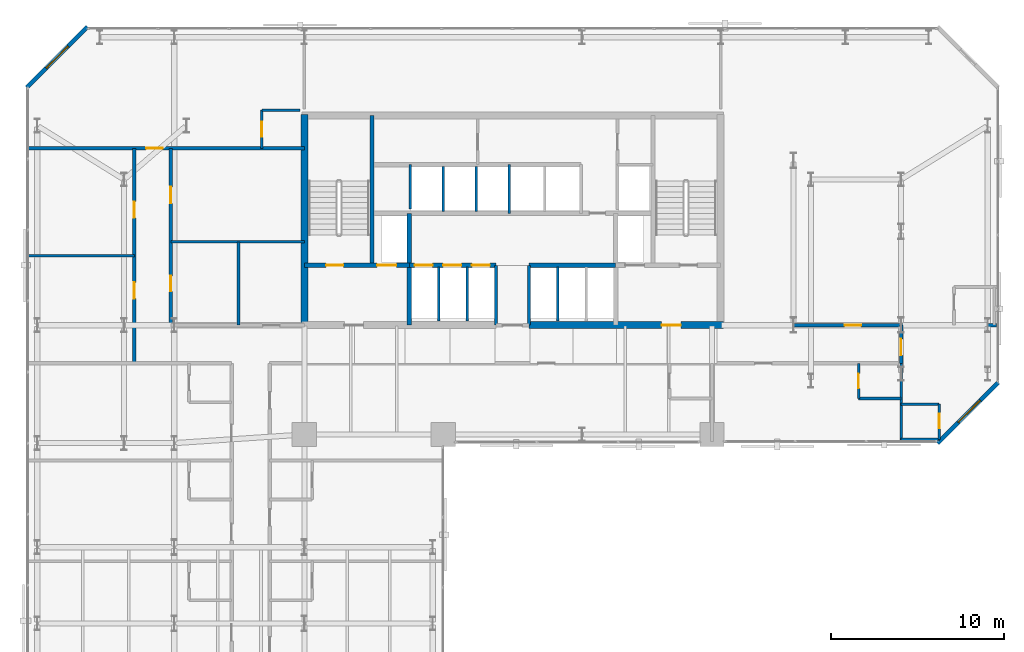
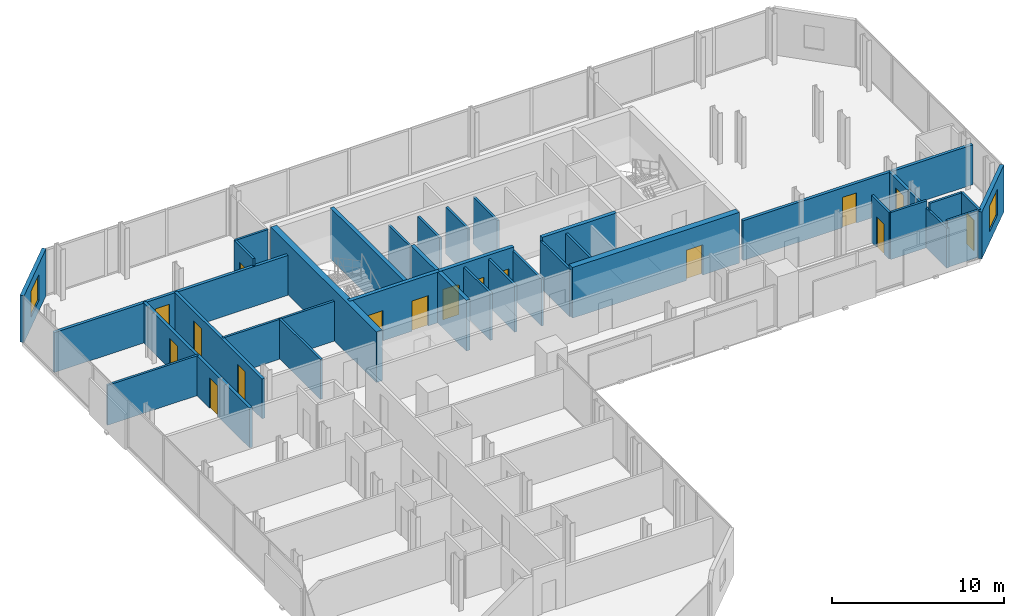
# One storey, part 29 of 32: 34 walls, 16 doors, 2 windows, 18 openings.
"""IFC4 building model written with IfcOpenShell, lengths in metres."""

from ifc_helpers import new_model, si_unit, direction, frame, frame_2d, origin, place, context, subcontext, project, spatial, rectangle, extrude, material, layer, layer_set, type_object, element, fill, save


model = new_model("IFC4")

# Units and contexts
model_context = context("Model", 3, precision=1e-05, world=origin(), true_north=direction((0.0, 1.0)))
body_context = subcontext(model_context, "Body", "Model", "MODEL_VIEW")
ifc_project = project(units=[si_unit("LENGTHUNIT", "METRE"), si_unit("AREAUNIT", "SQUARE_METRE"), si_unit("VOLUMEUNIT", "CUBIC_METRE"), si_unit("PLANEANGLEUNIT", "RADIAN"), si_unit("MASSUNIT", "GRAM", prefix="KILO")], contexts=[model_context])

# Site, building, storey
site_placement = place(None, origin())
site = spatial("IfcSite", under=ifc_project, at=site_placement, CompositionType="ELEMENT")
building_placement = place(site_placement, origin())
building = spatial("IfcBuilding", under=site, at=building_placement, Name="Catumbela Crestline Tower", CompositionType="ELEMENT")
storey_placement = place(building_placement, frame((0.0, 0.0, 69.0)))
storey = spatial("IfcBuildingStorey", under=building, at=storey_placement, Name="L17", CompositionType="ELEMENT", Elevation=69.0)

# Walls
ifc_material_1 = material(Name="Concrete C50/60", Category="concrete")
ifc_layer_1 = layer(ifc_material_1, 0.25, Name="Concrete C50/60")
ifc_layer_set_1 = layer_set([ifc_layer_1], Name="Concrete C50/60")
wall_type_1 = type_object("IfcWallType", Name="CW-250D", PredefinedType="SHEAR", material=ifc_layer_set_1)
wall_1_placement = place(storey_placement, frame((19.9, 34.25, 0.0), z_axis=(0.0, 0.0, 1.0), x_axis=(0.0, 1.0, 0.0)))
element("IfcWall", 1, at=wall_1_placement, inside=storey, type_object=wall_type_1, Name="L17 Structural Core Shear Wall WWEB", PredefinedType="SHEAR", context=body_context, shape_type="SweptSolid", body=[
    extrude(rectangle(XDim=8.65, YDim=0.25, at=frame_2d((4.325, 0.0))), origin(), (0.0, 0.0, 1.0), 3.6),
])
wall_2_placement = place(storey_placement, frame((22.05, 30.8, 0.0), z_axis=(0.0, 0.0, 1.0), x_axis=(0.0, 1.0, 0.0)))
element("IfcWall", 2, at=wall_2_placement, inside=storey, type_object=wall_type_1, Name="L17 Structural Core Shear Wall FFW", PredefinedType="SHEAR", context=body_context, shape_type="SweptSolid", body=[
    extrude(rectangle(XDim=6.45, YDim=0.25, at=frame_2d((3.225, 0.0))), origin(), (0.0, 0.0, 1.0), 3.6),
])

# Wall, openings, doors
wall_3_placement = place(storey_placement, frame((16.0, 34.25, 0.0), z_axis=(0.0, 0.0, 1.0), x_axis=(1.0, 0.0, 0.0)))
wall_3 = element("IfcWall", 3, at=wall_3_placement, inside=storey, type_object=wall_type_1, Name="L17 Structural Core Shear Wall ST1S", PredefinedType="SHEAR", context=body_context, shape_type="SweptSolid", body=[
    extrude(rectangle(XDim=6.05, YDim=0.25, at=frame_2d((3.025, 0.0))), origin(), (0.0, 0.0, 1.0), 3.6),
])
opening_1_placement = place(wall_3_placement, frame((1.25, 0.0, 0.0)))
opening_1 = element("IfcOpeningElement", 4, at=opening_1_placement, cuts=wall_3, Name="Opening DF9-100", PredefinedType="OPENING", context=body_context, shape_type="SweptSolid", body=[
    extrude(rectangle(XDim=1.0, YDim=2.15, at=frame_2d((0.5, 1.075))), frame((0.0, 0.135, 0.0), z_axis=(0.0, -1.0, 0.0), x_axis=(1.0, 0.0, 0.0)), (0.0, 0.0, 1.0), 0.27),
])
opening_2_placement = place(wall_3_placement, frame((4.2, 0.0, 0.0)))
opening_2 = element("IfcOpeningElement", 5, at=opening_2_placement, cuts=wall_3, Name="Opening LD-110", PredefinedType="OPENING", context=body_context, shape_type="SweptSolid", body=[
    extrude(rectangle(XDim=1.1, YDim=2.15, at=frame_2d((0.55, 1.075))), frame((0.0, 0.135, 0.0), z_axis=(0.0, -1.0, 0.0), x_axis=(1.0, 0.0, 0.0)), (0.0, 0.0, 1.0), 0.27),
])
ifc_material_2 = material(Name="Stainless steel EN 1.4401", Category="steel")
door_type_1 = type_object("IfcDoorType", Name="DF9-100", OperationType="NOTDEFINED", PredefinedType="DOOR", material=ifc_material_2)
door_1_placement = place(opening_1_placement, origin())
door_1 = element("IfcDoor", 6, at=door_1_placement, inside=storey, type_object=door_type_1, Name="L17 Interior Door DR-L17-ST01", OperationType="SINGLE_SWING_LEFT", OverallHeight=2.15, OverallWidth=1.0, PredefinedType="DOOR", context=body_context, shape_type="SweptSolid", body=[
    extrude(rectangle(XDim=1.0, YDim=2.15, at=frame_2d((0.5, 1.075))), frame((0.0, 0.025, 0.0), z_axis=(0.0, -1.0, 0.0), x_axis=(1.0, 0.0, 0.0)), (0.0, 0.0, 1.0), 0.05),
])
fill(opening_1, door_1)
door_type_2 = type_object("IfcDoorType", Name="LD-110", OperationType="NOTDEFINED", PredefinedType="DOOR", material=ifc_material_2)
door_2_placement = place(opening_2_placement, origin())
door_2 = element("IfcDoor", 7, at=door_2_placement, inside=storey, type_object=door_type_2, Name="L17 Lift Landing Sliding Door FL-01", OperationType="DOUBLE_DOOR_SLIDING", OverallHeight=2.15, OverallWidth=1.1, PredefinedType="DOOR", context=body_context, shape_type="SweptSolid", body=[
    extrude(rectangle(XDim=1.1, YDim=2.15, at=frame_2d((0.55, 1.075))), frame((0.0, 0.025, 0.0), z_axis=(0.0, -1.0, 0.0), x_axis=(1.0, 0.0, 0.0)), (0.0, 0.0, 1.0), 0.05),
])
fill(opening_2, door_2)

wall_4_placement = place(storey_placement, frame((22.05, 34.25, 0.0), z_axis=(0.0, 0.0, 1.0), x_axis=(1.0, 0.0, 0.0)))
wall_4 = element("IfcWall", 8, at=wall_4_placement, inside=storey, type_object=wall_type_1, Name="L17 Structural Core Shear Wall LIFTS-W", PredefinedType="SHEAR", context=body_context, shape_type="SweptSolid", body=[
    extrude(rectangle(XDim=5.0, YDim=0.25, at=frame_2d((2.5, 0.0))), origin(), (0.0, 0.0, 1.0), 3.6),
])
opening_3_placement = place(wall_4_placement, frame((0.3, 0.0, 0.0)))
opening_3 = element("IfcOpeningElement", 9, at=opening_3_placement, cuts=wall_4, Name="Opening LD-105", PredefinedType="OPENING", context=body_context, shape_type="SweptSolid", body=[
    extrude(rectangle(XDim=1.05, YDim=2.15, at=frame_2d((0.525, 1.075))), frame((0.0, 0.135, 0.0), z_axis=(0.0, -1.0, 0.0), x_axis=(1.0, 0.0, 0.0)), (0.0, 0.0, 1.0), 0.27),
])
opening_4_placement = place(wall_4_placement, frame((1.95, 0.0, 0.0)))
opening_4 = element("IfcOpeningElement", 10, at=opening_4_placement, cuts=wall_4, Name="Opening LD-105", PredefinedType="OPENING", context=body_context, shape_type="SweptSolid", body=[
    extrude(rectangle(XDim=1.05, YDim=2.15, at=frame_2d((0.525, 1.075))), frame((0.0, 0.135, 0.0), z_axis=(0.0, -1.0, 0.0), x_axis=(1.0, 0.0, 0.0)), (0.0, 0.0, 1.0), 0.27),
])
opening_5_placement = place(wall_4_placement, frame((3.6, 0.0, 0.0)))
opening_5 = element("IfcOpeningElement", 11, at=opening_5_placement, cuts=wall_4, Name="Opening LD-105", PredefinedType="OPENING", context=body_context, shape_type="SweptSolid", body=[
    extrude(rectangle(XDim=1.05, YDim=2.15, at=frame_2d((0.525, 1.075))), frame((0.0, 0.135, 0.0), z_axis=(0.0, -1.0, 0.0), x_axis=(1.0, 0.0, 0.0)), (0.0, 0.0, 1.0), 0.27),
])
door_type_3 = type_object("IfcDoorType", Name="LD-105", OperationType="NOTDEFINED", PredefinedType="DOOR", material=ifc_material_2)
door_3_placement = place(opening_3_placement, origin())
door_3 = element("IfcDoor", 12, at=door_3_placement, inside=storey, type_object=door_type_3, Name="L17 Lift Landing Sliding Door PL-L1", OperationType="DOUBLE_DOOR_SLIDING", OverallHeight=2.15, OverallWidth=1.05, PredefinedType="DOOR", context=body_context, shape_type="SweptSolid", body=[
    extrude(rectangle(XDim=1.05, YDim=2.15, at=frame_2d((0.525, 1.075))), frame((0.0, 0.025, 0.0), z_axis=(0.0, -1.0, 0.0), x_axis=(1.0, 0.0, 0.0)), (0.0, 0.0, 1.0), 0.05),
])
fill(opening_3, door_3)
door_4_placement = place(opening_4_placement, origin())
door_4 = element("IfcDoor", 13, at=door_4_placement, inside=storey, type_object=door_type_3, Name="L17 Lift Landing Sliding Door PL-L2", OperationType="DOUBLE_DOOR_SLIDING", OverallHeight=2.15, OverallWidth=1.05, PredefinedType="DOOR", context=body_context, shape_type="SweptSolid", body=[
    extrude(rectangle(XDim=1.05, YDim=2.15, at=frame_2d((0.525, 1.075))), frame((0.0, 0.025, 0.0), z_axis=(0.0, -1.0, 0.0), x_axis=(1.0, 0.0, 0.0)), (0.0, 0.0, 1.0), 0.05),
])
fill(opening_4, door_4)
door_5_placement = place(opening_5_placement, origin())
door_5 = element("IfcDoor", 14, at=door_5_placement, inside=storey, type_object=door_type_3, Name="L17 Lift Landing Sliding Door PL-L3", OperationType="DOUBLE_DOOR_SLIDING", OverallHeight=2.15, OverallWidth=1.05, PredefinedType="DOOR", context=body_context, shape_type="SweptSolid", body=[
    extrude(rectangle(XDim=1.05, YDim=2.15, at=frame_2d((0.525, 1.075))), frame((0.0, 0.025, 0.0), z_axis=(0.0, -1.0, 0.0), x_axis=(1.0, 0.0, 0.0)), (0.0, 0.0, 1.0), 0.05),
])
fill(opening_5, door_5)

# Walls
wall_5_placement = place(storey_placement, frame((28.95, 34.25, 0.0), z_axis=(0.0, 0.0, 1.0), x_axis=(1.0, 0.0, 0.0)))
element("IfcWall", 15, at=wall_5_placement, inside=storey, type_object=wall_type_1, Name="L17 Structural Core Shear Wall LIFTS-E", PredefinedType="SHEAR", context=body_context, shape_type="SweptSolid", body=[
    extrude(rectangle(XDim=5.0, YDim=0.25, at=frame_2d((2.5, 0.0))), origin(), (0.0, 0.0, 1.0), 3.6),
])
ifc_material_3 = material(Name="Concrete C60/75", Category="concrete")
ifc_layer_2 = layer(ifc_material_3, 0.4, Name="Concrete C60/75")
ifc_layer_set_2 = layer_set([ifc_layer_2], Name="Concrete C60/75")
wall_type_2 = type_object("IfcWallType", Name="CW-400A", PredefinedType="SHEAR", material=ifc_layer_set_2)
wall_6_placement = place(storey_placement, frame((16.0, 30.65, 0.0), z_axis=(0.0, 0.0, 1.0), x_axis=(0.0, 1.0, 0.0)))
element("IfcWall", 16, at=wall_6_placement, inside=storey, type_object=wall_type_2, Name="L17 Structural Core Shear Wall W", PredefinedType="SHEAR", context=body_context, shape_type="SweptSolid", body=[
    extrude(rectangle(XDim=12.3, YDim=0.4, at=frame_2d((6.15, 0.0))), origin(), (0.0, 0.0, 1.0), 3.6),
])

# Wall, opening, door
wall_7_placement = place(storey_placement, frame((28.95, 30.8, 0.0), z_axis=(0.0, 0.0, 1.0), x_axis=(1.0, 0.0, 0.0)))
wall_7 = element("IfcWall", 17, at=wall_7_placement, inside=storey, type_object=wall_type_2, Name="L17 Structural Core Shear Wall SE", PredefinedType="SHEAR", context=body_context, shape_type="SweptSolid", body=[
    extrude(rectangle(XDim=11.2, YDim=0.4, at=frame_2d((5.6, 0.0))), origin(), (0.0, 0.0, 1.0), 3.6),
])
opening_6_placement = place(wall_7_placement, frame((7.65, 0.0, 0.0)))
opening_6 = element("IfcOpeningElement", 18, at=opening_6_placement, cuts=wall_7, Name="Opening DF9-110", PredefinedType="OPENING", context=body_context, shape_type="SweptSolid", body=[
    extrude(rectangle(XDim=1.1, YDim=2.15, at=frame_2d((0.55, 1.075))), frame((0.0, 0.21, 0.0), z_axis=(0.0, -1.0, 0.0), x_axis=(1.0, 0.0, 0.0)), (0.0, 0.0, 1.0), 0.42),
])
door_type_4 = type_object("IfcDoorType", Name="DF9-110", OperationType="NOTDEFINED", PredefinedType="DOOR", material=ifc_material_2)
door_6_placement = place(opening_6_placement, origin())
door_6 = element("IfcDoor", 19, at=door_6_placement, inside=storey, type_object=door_type_4, Name="L17 Interior Door DR-L17-FFE-S", OperationType="SINGLE_SWING_RIGHT", OverallHeight=2.15, OverallWidth=1.1, PredefinedType="DOOR", context=body_context, shape_type="SweptSolid", body=[
    extrude(rectangle(XDim=1.1, YDim=2.15, at=frame_2d((0.55, 1.075))), frame((0.0, 0.025, 0.0), z_axis=(0.0, -1.0, 0.0), x_axis=(1.0, 0.0, 0.0)), (0.0, 0.0, 1.0), 0.05),
])
fill(opening_6, door_6)

# Wall, openings, doors
ifc_material_4 = material(Name="Acoustic gypsum and mineral-wool partition")
ifc_layer_3 = layer(ifc_material_4, 0.2, Name="Acoustic gypsum and mineral-wool partition")
ifc_layer_set_3 = layer_set([ifc_layer_3], Name="Acoustic gypsum and mineral-wool partition")
wall_type_3 = type_object("IfcWallType", Name="WC-200", PredefinedType="PARTITIONING", material=ifc_layer_set_3)
wall_8_placement = place(storey_placement, frame((8.3, 30.8, 0.0), z_axis=(0.0, 0.0, 1.0), x_axis=(0.0, 1.0, 0.0)))
wall_8 = element("IfcWall", 20, at=wall_8_placement, inside=storey, type_object=wall_type_3, Name="L17 Interior Partition PW-L17-AWC-W", PredefinedType="PARTITIONING", context=body_context, shape_type="SweptSolid", body=[
    extrude(rectangle(XDim=10.2, YDim=0.2, at=frame_2d((5.1, 0.0))), origin(), (0.0, 0.0, 1.0), 2.83),
])
opening_7_placement = place(wall_8_placement, frame((1.95, 0.0, 0.0)))
opening_7 = element("IfcOpeningElement", 21, at=opening_7_placement, cuts=wall_8, Name="Opening DI-090", PredefinedType="OPENING", context=body_context, shape_type="SweptSolid", body=[
    extrude(rectangle(XDim=0.9, YDim=2.15, at=frame_2d((0.45, 1.075))), frame((0.0, 0.11, 0.0), z_axis=(0.0, -1.0, 0.0), x_axis=(1.0, 0.0, 0.0)), (0.0, 0.0, 1.0), 0.22),
])
opening_8_placement = place(wall_8_placement, frame((7.025, 0.0, 0.0)))
opening_8 = element("IfcOpeningElement", 22, at=opening_8_placement, cuts=wall_8, Name="Opening DF6-095", PredefinedType="OPENING", context=body_context, shape_type="SweptSolid", body=[
    extrude(rectangle(XDim=0.95, YDim=2.15, at=frame_2d((0.475, 1.075))), frame((0.0, 0.11, 0.0), z_axis=(0.0, -1.0, 0.0), x_axis=(1.0, 0.0, 0.0)), (0.0, 0.0, 1.0), 0.22),
])
ifc_material_5 = material(Name="Aluminium alloy AW-6060-T66", Category="aluminium")
door_type_5 = type_object("IfcDoorType", Name="DF6-095", OperationType="NOTDEFINED", PredefinedType="DOOR", material=ifc_material_5)
door_7_placement = place(opening_8_placement, origin())
door_7 = element("IfcDoor", 23, at=door_7_placement, inside=storey, type_object=door_type_5, Name="L17 Interior Door DR-L17-DDIN-ENT", OperationType="SINGLE_SWING_RIGHT", OverallHeight=2.15, OverallWidth=0.95, PredefinedType="DOOR", context=body_context, shape_type="SweptSolid", body=[
    extrude(rectangle(XDim=0.95, YDim=2.15, at=frame_2d((0.475, 1.075))), frame((0.0, 0.025, 0.0), z_axis=(0.0, -1.0, 0.0), x_axis=(1.0, 0.0, 0.0)), (0.0, 0.0, 1.0), 0.05),
])
fill(opening_8, door_7)
door_type_6 = type_object("IfcDoorType", Name="DI-090", OperationType="NOTDEFINED", PredefinedType="DOOR", material=ifc_material_5)
door_8_placement = place(opening_7_placement, origin())
door_8 = element("IfcDoor", 24, at=door_8_placement, inside=storey, type_object=door_type_6, Name="L17 Interior Door DR-L17-STWC", OperationType="SINGLE_SWING_RIGHT", OverallHeight=2.15, OverallWidth=0.9, PredefinedType="DOOR", context=body_context, shape_type="SweptSolid", body=[
    extrude(rectangle(XDim=0.9, YDim=2.15, at=frame_2d((0.45, 1.075))), frame((0.0, 0.025, 0.0), z_axis=(0.0, -1.0, 0.0), x_axis=(1.0, 0.0, 0.0)), (0.0, 0.0, 1.0), 0.05),
])
fill(opening_7, door_8)

# Wall, opening, door
wall_9_placement = place(storey_placement, frame((0.1, 41.0, 0.0), z_axis=(0.0, 0.0, 1.0), x_axis=(1.0, 0.0, 0.0)))
wall_9 = element("IfcWall", 25, at=wall_9_placement, inside=storey, type_object=wall_type_3, Name="L17 Interior Partition PW-L17-NWTOP-ENT", PredefinedType="PARTITIONING", context=body_context, shape_type="SweptSolid", body=[
    extrude(rectangle(XDim=15.9, YDim=0.2, at=frame_2d((7.95, 0.0))), origin(), (0.0, 0.0, 1.0), 2.83),
])
opening_9_placement = place(wall_9_placement, frame((6.7788, 0.0, 0.0)))
opening_9 = element("IfcOpeningElement", 26, at=opening_9_placement, cuts=wall_9, Name="Opening DF6-095", PredefinedType="OPENING", context=body_context, shape_type="SweptSolid", body=[
    extrude(rectangle(XDim=0.95, YDim=2.15, at=frame_2d((0.475, 1.075))), frame((0.0, 0.11, 0.0), z_axis=(0.0, -1.0, 0.0), x_axis=(1.0, 0.0, 0.0)), (0.0, 0.0, 1.0), 0.22),
])
door_9_placement = place(opening_9_placement, origin())
door_9 = element("IfcDoor", 27, at=door_9_placement, inside=storey, type_object=door_type_5, Name="L17 Interior Door DR-L17-NWTOP-ENT", OperationType="SINGLE_SWING_LEFT", OverallHeight=2.15, OverallWidth=0.95, PredefinedType="DOOR", context=body_context, shape_type="SweptSolid", body=[
    extrude(rectangle(XDim=0.95, YDim=2.15, at=frame_2d((0.475, 1.075))), frame((0.0, 0.025, 0.0), z_axis=(0.0, -1.0, 0.0), x_axis=(1.0, 0.0, 0.0)), (0.0, 0.0, 1.0), 0.05),
])
fill(opening_9, door_9)

# Wall, openings, doors
wall_10_placement = place(storey_placement, frame((6.2, 28.6, 0.0), z_axis=(0.0, 0.0, 1.0), x_axis=(0.0, 1.0, 0.0)))
wall_10 = element("IfcWall", 28, at=wall_10_placement, inside=storey, type_object=wall_type_3, Name="L17 Interior Partition PW-L17-DREC-ENT", PredefinedType="PARTITIONING", context=body_context, shape_type="SweptSolid", body=[
    extrude(rectangle(XDim=12.4, YDim=0.2, at=frame_2d((6.2, 0.0))), origin(), (0.0, 0.0, 1.0), 2.83),
])
opening_10_placement = place(wall_10_placement, frame((3.725, 0.0, 0.0)))
opening_10 = element("IfcOpeningElement", 29, at=opening_10_placement, cuts=wall_10, Name="Opening DF6-095", PredefinedType="OPENING", context=body_context, shape_type="SweptSolid", body=[
    extrude(rectangle(XDim=0.95, YDim=2.15, at=frame_2d((0.475, 1.075))), frame((0.0, 0.11, 0.0), z_axis=(0.0, -1.0, 0.0), x_axis=(1.0, 0.0, 0.0)), (0.0, 0.0, 1.0), 0.22),
])
opening_11_placement = place(wall_10_placement, frame((8.3808, 0.0, 0.0)))
opening_11 = element("IfcOpeningElement", 30, at=opening_11_placement, cuts=wall_10, Name="Opening DF6-095", PredefinedType="OPENING", context=body_context, shape_type="SweptSolid", body=[
    extrude(rectangle(XDim=0.95, YDim=2.15, at=frame_2d((0.475, 1.075))), frame((0.0, 0.11, 0.0), z_axis=(0.0, -1.0, 0.0), x_axis=(1.0, 0.0, 0.0)), (0.0, 0.0, 1.0), 0.22),
])
door_10_placement = place(opening_10_placement, origin())
door_10 = element("IfcDoor", 31, at=door_10_placement, inside=storey, type_object=door_type_5, Name="L17 Interior Door DR-L17-DREC-ENT", OperationType="SINGLE_SWING_LEFT", OverallHeight=2.15, OverallWidth=0.95, PredefinedType="DOOR", context=body_context, shape_type="SweptSolid", body=[
    extrude(rectangle(XDim=0.95, YDim=2.15, at=frame_2d((0.475, 1.075))), frame((0.0, 0.025, 0.0), z_axis=(0.0, -1.0, 0.0), x_axis=(1.0, 0.0, 0.0)), (0.0, 0.0, 1.0), 0.05),
])
fill(opening_10, door_10)
door_11_placement = place(opening_11_placement, origin())
door_11 = element("IfcDoor", 32, at=door_11_placement, inside=storey, type_object=door_type_5, Name="L17 Interior Door DR-L17-DKIT-ENT", OperationType="SINGLE_SWING_LEFT", OverallHeight=2.15, OverallWidth=0.95, PredefinedType="DOOR", context=body_context, shape_type="SweptSolid", body=[
    extrude(rectangle(XDim=0.95, YDim=2.15, at=frame_2d((0.475, 1.075))), frame((0.0, 0.025, 0.0), z_axis=(0.0, -1.0, 0.0), x_axis=(1.0, 0.0, 0.0)), (0.0, 0.0, 1.0), 0.05),
])
fill(opening_11, door_11)

# Wall, opening, door
wall_11_placement = place(storey_placement, frame((40.47, 30.8, 0.0), z_axis=(0.0, 0.0, 1.0), x_axis=(1.0, 0.0, 0.0)))
wall_11 = element("IfcWall", 33, at=wall_11_placement, inside=storey, type_object=wall_type_3, Name="L17 Interior Partition PW-L17-NES-ENT", PredefinedType="PARTITIONING", context=body_context, shape_type="SweptSolid", body=[
    extrude(rectangle(XDim=15.43, YDim=0.2, at=frame_2d((7.715, 0.0))), origin(), (0.0, 0.0, 1.0), 2.83),
])
opening_12_placement = place(wall_11_placement, frame((6.6725, 0.0, 0.0)))
opening_12 = element("IfcOpeningElement", 34, at=opening_12_placement, cuts=wall_11, Name="Opening DF6-095", PredefinedType="OPENING", context=body_context, shape_type="SweptSolid", body=[
    extrude(rectangle(XDim=0.95, YDim=2.15, at=frame_2d((0.475, 1.075))), frame((0.0, 0.11, 0.0), z_axis=(0.0, -1.0, 0.0), x_axis=(1.0, 0.0, 0.0)), (0.0, 0.0, 1.0), 0.22),
])
door_12_placement = place(opening_12_placement, origin())
door_12 = element("IfcDoor", 35, at=door_12_placement, inside=storey, type_object=door_type_5, Name="L17 Interior Door DR-L17-NES-ENT", OperationType="SINGLE_SWING_LEFT", OverallHeight=2.15, OverallWidth=0.95, PredefinedType="DOOR", context=body_context, shape_type="SweptSolid", body=[
    extrude(rectangle(XDim=0.95, YDim=2.15, at=frame_2d((0.475, 1.075))), frame((0.0, 0.025, 0.0), z_axis=(0.0, -1.0, 0.0), x_axis=(1.0, 0.0, 0.0)), (0.0, 0.0, 1.0), 0.05),
])
fill(opening_12, door_12)

wall_12_placement = place(storey_placement, frame((50.4, 28.6, 0.0), z_axis=(0.0, 0.0, 1.0), x_axis=(0.0, 1.0, 0.0)))
wall_12 = element("IfcWall", 36, at=wall_12_placement, inside=storey, type_object=wall_type_3, Name="L17 Interior Partition PW-L17-NESE-ENT", PredefinedType="PARTITIONING", context=body_context, shape_type="SweptSolid", body=[
    extrude(rectangle(XDim=2.2, YDim=0.2, at=frame_2d((1.1, 0.0))), origin(), (0.0, 0.0, 1.0), 2.83),
])
opening_13_placement = place(wall_12_placement, frame((0.46, 0.0, 0.0)))
opening_13 = element("IfcOpeningElement", 37, at=opening_13_placement, cuts=wall_12, Name="Opening DF6-095", PredefinedType="OPENING", context=body_context, shape_type="SweptSolid", body=[
    extrude(rectangle(XDim=0.95, YDim=2.15, at=frame_2d((0.475, 1.075))), frame((0.0, 0.11, 0.0), z_axis=(0.0, -1.0, 0.0), x_axis=(1.0, 0.0, 0.0)), (0.0, 0.0, 1.0), 0.22),
])
door_13_placement = place(opening_13_placement, origin())
door_13 = element("IfcDoor", 38, at=door_13_placement, inside=storey, type_object=door_type_5, Name="L17 Interior Door DR-L17-NESE-ENT", OperationType="SINGLE_SWING_RIGHT", OverallHeight=2.15, OverallWidth=0.95, PredefinedType="DOOR", context=body_context, shape_type="SweptSolid", body=[
    extrude(rectangle(XDim=0.95, YDim=2.15, at=frame_2d((0.475, 1.075))), frame((0.0, 0.025, 0.0), z_axis=(0.0, -1.0, 0.0), x_axis=(1.0, 0.0, 0.0)), (0.0, 0.0, 1.0), 0.05),
])
fill(opening_13, door_13)

# Wall, opening, window
ifc_material_6 = material(Name="Angolan grey-ochre granite", Category="masonry")
ifc_layer_4 = layer(ifc_material_6, 0.25, Name="Angolan grey-ochre granite")
ifc_layer_set_4 = layer_set([ifc_layer_4], Name="Angolan grey-ochre granite")
wall_type_4 = type_object("IfcWallType", Name="WE-250", PredefinedType="STANDARD", material=ifc_layer_set_4)
wall_13_placement = place(storey_placement, frame((52.5, 24.0, 0.0), z_axis=(0.0, 0.0, 1.0), x_axis=(0.707106781187, 0.707106781187, 0.0)))
wall_13 = element("IfcWall", 39, at=wall_13_placement, inside=storey, type_object=wall_type_4, Name="L17 Granite Punched Window Wall 4-1", PredefinedType="STANDARD", context=body_context, shape_type="SweptSolid", body=[
    extrude(rectangle(XDim=4.9497, YDim=0.25, at=frame_2d((2.4748, 0.0))), origin(), (0.0, 0.0, 1.0), 3.33),
])
opening_14_placement = place(wall_13_placement, frame((1.6851, 0.0, 0.75)))
opening_14 = element("IfcOpeningElement", 40, at=opening_14_placement, cuts=wall_13, Name="Opening WN-01", PredefinedType="OPENING", context=body_context, shape_type="SweptSolid", body=[
    extrude(rectangle(XDim=1.8, YDim=1.85, at=frame_2d((0.9, 0.925))), frame((0.0, 0.135, 0.0), z_axis=(0.0, -1.0, 0.0), x_axis=(1.0, 0.0, 0.0)), (0.0, 0.0, 1.0), 0.27),
])
ifc_material_7 = material(Name="Low-E laminated solar-control double glazing", Category="glass")
window_type = type_object("IfcWindowType", Name="WF-1800", PartitioningType="SINGLE_PANEL", PredefinedType="WINDOW", material=ifc_material_7)
window_1_placement = place(opening_14_placement, origin())
window_1 = element("IfcWindow", 41, at=window_1_placement, inside=storey, type_object=window_type, Name="L17 Facade Vision Window 109", OverallHeight=1.85, OverallWidth=1.8, PartitioningType="SINGLE_PANEL", PredefinedType="WINDOW", context=body_context, shape_type="SweptSolid", body=[
    extrude(rectangle(XDim=1.8, YDim=1.85, at=frame_2d((0.9, 0.925))), frame((0.0, 0.03, 0.0), z_axis=(0.0, -1.0, 0.0), x_axis=(1.0, 0.0, 0.0)), (0.0, 0.0, 1.0), 0.06),
])
fill(opening_14, window_1)

wall_14_placement = place(storey_placement, frame((3.5, 48.0, 0.0), z_axis=(0.0, 0.0, 1.0), x_axis=(-0.707106781187, -0.707106781187, 0.0)))
wall_14 = element("IfcWall", 42, at=wall_14_placement, inside=storey, type_object=wall_type_4, Name="L17 Granite Punched Window Wall 8-1", PredefinedType="STANDARD", context=body_context, shape_type="SweptSolid", body=[
    extrude(rectangle(XDim=4.9497, YDim=0.25, at=frame_2d((2.4748, 0.0))), origin(), (0.0, 0.0, 1.0), 3.33),
])
opening_15_placement = place(wall_14_placement, frame((1.5749, 0.0, 0.75)))
opening_15 = element("IfcOpeningElement", 43, at=opening_15_placement, cuts=wall_14, Name="Opening WN-01", PredefinedType="OPENING", context=body_context, shape_type="SweptSolid", body=[
    extrude(rectangle(XDim=1.8, YDim=1.85, at=frame_2d((0.9, 0.925))), frame((0.0, 0.135, 0.0), z_axis=(0.0, -1.0, 0.0), x_axis=(1.0, 0.0, 0.0)), (0.0, 0.0, 1.0), 0.27),
])
window_2_placement = place(opening_15_placement, origin())
window_2 = element("IfcWindow", 44, at=window_2_placement, inside=storey, type_object=window_type, Name="L17 Facade Vision Window 111", OverallHeight=1.85, OverallWidth=1.8, PartitioningType="SINGLE_PANEL", PredefinedType="WINDOW", context=body_context, shape_type="SweptSolid", body=[
    extrude(rectangle(XDim=1.8, YDim=1.85, at=frame_2d((0.9, 0.925))), frame((0.0, 0.03, 0.0), z_axis=(0.0, -1.0, 0.0), x_axis=(1.0, 0.0, 0.0)), (0.0, 0.0, 1.0), 0.06),
])
fill(opening_15, window_2)

# Walls
ifc_layer_5 = layer(ifc_material_4, 0.15, Name="Acoustic gypsum and mineral-wool partition")
ifc_layer_set_5 = layer_set([ifc_layer_5], Name="Acoustic gypsum and mineral-wool partition")
wall_type_5 = type_object("IfcWallType", Name="WP-150", PredefinedType="PARTITIONING", material=ifc_layer_set_5)
wall_15_placement = place(storey_placement, frame((8.3, 35.6, 0.0), z_axis=(0.0, 0.0, 1.0), x_axis=(1.0, 0.0, 0.0)))
element("IfcWall", 45, at=wall_15_placement, inside=storey, type_object=wall_type_5, Name="L17 Interior Partition PW-L17-HK-N", PredefinedType="PARTITIONING", context=body_context, shape_type="SweptSolid", body=[
    extrude(rectangle(XDim=7.7, YDim=0.15, at=frame_2d((3.85, 0.0))), origin(), (0.0, 0.0, 1.0), 2.83),
])
wall_16_placement = place(storey_placement, frame((12.2, 30.8, 0.0), z_axis=(0.0, 0.0, 1.0), x_axis=(0.0, 1.0, 0.0)))
element("IfcWall", 46, at=wall_16_placement, inside=storey, type_object=wall_type_5, Name="L17 Interior Partition PW-L17-HK-M", PredefinedType="PARTITIONING", context=body_context, shape_type="SweptSolid", body=[
    extrude(rectangle(XDim=4.8, YDim=0.15, at=frame_2d((2.4, 0.0))), origin(), (0.0, 0.0, 1.0), 2.83),
])
wall_17_placement = place(storey_placement, frame((13.55, 43.2, 0.0), z_axis=(0.0, 0.0, 1.0), x_axis=(1.0, 0.0, 0.0)))
element("IfcWall", 47, at=wall_17_placement, inside=storey, type_object=wall_type_5, Name="L17 Interior Partition PW-L17-NWTOP-BHW", PredefinedType="PARTITIONING", context=body_context, shape_type="SweptSolid", body=[
    extrude(rectangle(XDim=2.1897, YDim=0.15, at=frame_2d((1.0949, 0.0))), origin(), (0.0, 0.0, 1.0), 3.33),
])

# Wall, opening, door
wall_18_placement = place(storey_placement, frame((13.55, 41.0, 0.0), z_axis=(0.0, 0.0, 1.0), x_axis=(0.0, 1.0, 0.0)))
wall_18 = element("IfcWall", 48, at=wall_18_placement, inside=storey, type_object=wall_type_5, Name="L17 Interior Partition PW-L17-NWTOP-BWW", PredefinedType="PARTITIONING", context=body_context, shape_type="SweptSolid", body=[
    extrude(rectangle(XDim=2.2, YDim=0.15, at=frame_2d((1.1, 0.0))), origin(), (0.0, 0.0, 1.0), 3.33),
])
opening_16_placement = place(wall_18_placement, frame((0.675, 0.0, 0.0)))
opening_16 = element("IfcOpeningElement", 49, at=opening_16_placement, cuts=wall_18, Name="Opening DI-085", PredefinedType="OPENING", context=body_context, shape_type="SweptSolid", body=[
    extrude(rectangle(XDim=0.85, YDim=2.15, at=frame_2d((0.425, 1.075))), frame((0.0, 0.085, 0.0), z_axis=(0.0, -1.0, 0.0), x_axis=(1.0, 0.0, 0.0)), (0.0, 0.0, 1.0), 0.17),
])
door_type_7 = type_object("IfcDoorType", Name="DI-085", OperationType="NOTDEFINED", PredefinedType="DOOR", material=ifc_material_5)
door_14_placement = place(opening_16_placement, origin())
door_14 = element("IfcDoor", 50, at=door_14_placement, inside=storey, type_object=door_type_7, Name="L17 Interior Door DR-L17-NWTOP-BTH", OperationType="SINGLE_SWING_RIGHT", OverallHeight=2.15, OverallWidth=0.85, PredefinedType="DOOR", context=body_context, shape_type="SweptSolid", body=[
    extrude(rectangle(XDim=0.85, YDim=2.15, at=frame_2d((0.425, 1.075))), frame((0.0, 0.025, 0.0), z_axis=(0.0, -1.0, 0.0), x_axis=(1.0, 0.0, 0.0)), (0.0, 0.0, 1.0), 0.05),
])
fill(opening_16, door_14)

# Walls
wall_19_placement = place(storey_placement, frame((0.1, 34.8, 0.0), z_axis=(0.0, 0.0, 1.0), x_axis=(1.0, 0.0, 0.0)))
element("IfcWall", 51, at=wall_19_placement, inside=storey, type_object=wall_type_5, Name="L17 Interior Partition PW-L17-G4-1", PredefinedType="PARTITIONING", context=body_context, shape_type="SweptSolid", body=[
    extrude(rectangle(XDim=6.1, YDim=0.15, at=frame_2d((3.05, 0.0))), origin(), (0.0, 0.0, 1.0), 2.83),
])
wall_20_placement = place(storey_placement, frame((47.95, 26.576, 0.0), z_axis=(0.0, 0.0, 1.0), x_axis=(1.0, 0.0, 0.0)))
element("IfcWall", 52, at=wall_20_placement, inside=storey, type_object=wall_type_5, Name="L17 Interior Partition PW-L17-K2-BHW", PredefinedType="PARTITIONING", context=body_context, shape_type="SweptSolid", body=[
    extrude(rectangle(XDim=2.45, YDim=0.15, at=frame_2d((1.225, 0.0))), origin(), (0.0, 0.0, 1.0), 3.33),
])

# Wall, opening, door
wall_21_placement = place(storey_placement, frame((47.95, 26.576, 0.0), z_axis=(0.0, 0.0, 1.0), x_axis=(0.0, 1.0, 0.0)))
wall_21 = element("IfcWall", 53, at=wall_21_placement, inside=storey, type_object=wall_type_5, Name="L17 Interior Partition PW-L17-K2-BWW", PredefinedType="PARTITIONING", context=body_context, shape_type="SweptSolid", body=[
    extrude(rectangle(XDim=2.024, YDim=0.15, at=frame_2d((1.012, 0.0))), origin(), (0.0, 0.0, 1.0), 3.33),
])
opening_17_placement = place(wall_21_placement, frame((0.587, 0.0, 0.0)))
opening_17 = element("IfcOpeningElement", 54, at=opening_17_placement, cuts=wall_21, Name="Opening DI-085", PredefinedType="OPENING", context=body_context, shape_type="SweptSolid", body=[
    extrude(rectangle(XDim=0.85, YDim=2.15, at=frame_2d((0.425, 1.075))), frame((0.0, 0.085, 0.0), z_axis=(0.0, -1.0, 0.0), x_axis=(1.0, 0.0, 0.0)), (0.0, 0.0, 1.0), 0.17),
])
door_15_placement = place(opening_17_placement, origin())
door_15 = element("IfcDoor", 55, at=door_15_placement, inside=storey, type_object=door_type_7, Name="L17 Interior Door DR-L17-K2-BTH", OperationType="SINGLE_SWING_RIGHT", OverallHeight=2.15, OverallWidth=0.85, PredefinedType="DOOR", context=body_context, shape_type="SweptSolid", body=[
    extrude(rectangle(XDim=0.85, YDim=2.15, at=frame_2d((0.425, 1.075))), frame((0.0, 0.025, 0.0), z_axis=(0.0, -1.0, 0.0), x_axis=(1.0, 0.0, 0.0)), (0.0, 0.0, 1.0), 0.05),
])
fill(opening_17, door_15)

# Walls
wall_22_placement = place(storey_placement, frame((50.4, 28.6, 0.0), z_axis=(0.0, 0.0, 1.0), x_axis=(0.0, -1.0, 0.0)))
element("IfcWall", 56, at=wall_22_placement, inside=storey, type_object=wall_type_5, Name="L17 Interior Partition PW-L17-K2-BCL-2", PredefinedType="PARTITIONING", context=body_context, shape_type="SweptSolid", body=[
    extrude(rectangle(XDim=4.5, YDim=0.15, at=frame_2d((2.25, 0.0))), origin(), (0.0, 0.0, 1.0), 2.83),
])
wall_23_placement = place(storey_placement, frame((50.4, 26.25, 0.0), z_axis=(0.0, 0.0, 1.0), x_axis=(1.0, 0.0, 0.0)))
element("IfcWall", 57, at=wall_23_placement, inside=storey, type_object=wall_type_5, Name="L17 Interior Partition PW-L17-NESE-BNW", PredefinedType="PARTITIONING", context=body_context, shape_type="SweptSolid", body=[
    extrude(rectangle(XDim=2.2, YDim=0.15, at=frame_2d((1.1, 0.0))), origin(), (0.0, 0.0, 1.0), 3.33),
])

# Wall, opening, door
wall_24_placement = place(storey_placement, frame((52.6, 24.2, 0.0), z_axis=(0.0, 0.0, 1.0), x_axis=(0.0, 1.0, 0.0)))
wall_24 = element("IfcWall", 58, at=wall_24_placement, inside=storey, type_object=wall_type_5, Name="L17 Interior Partition PW-L17-NESE-BEW", PredefinedType="PARTITIONING", context=body_context, shape_type="SweptSolid", body=[
    extrude(rectangle(XDim=2.05, YDim=0.15, at=frame_2d((1.025, 0.0))), origin(), (0.0, 0.0, 1.0), 3.33),
])
opening_18_placement = place(wall_24_placement, frame((0.6514, 0.0, 0.0)))
opening_18 = element("IfcOpeningElement", 59, at=opening_18_placement, cuts=wall_24, Name="Opening DI-085", PredefinedType="OPENING", context=body_context, shape_type="SweptSolid", body=[
    extrude(rectangle(XDim=0.85, YDim=2.15, at=frame_2d((0.425, 1.075))), frame((0.0, 0.085, 0.0), z_axis=(0.0, -1.0, 0.0), x_axis=(1.0, 0.0, 0.0)), (0.0, 0.0, 1.0), 0.17),
])
door_16_placement = place(opening_18_placement, origin())
door_16 = element("IfcDoor", 60, at=door_16_placement, inside=storey, type_object=door_type_7, Name="L17 Interior Door DR-L17-NESE-BTH", OperationType="SINGLE_SWING_LEFT", OverallHeight=2.15, OverallWidth=0.85, PredefinedType="DOOR", context=body_context, shape_type="SweptSolid", body=[
    extrude(rectangle(XDim=0.85, YDim=2.15, at=frame_2d((0.425, 1.075))), frame((0.0, 0.025, 0.0), z_axis=(0.0, -1.0, 0.0), x_axis=(1.0, 0.0, 0.0)), (0.0, 0.0, 1.0), 0.05),
])
fill(opening_18, door_16)

# Walls
wall_25_placement = place(storey_placement, frame((52.62, 24.22, 0.0), z_axis=(0.0, 0.0, 1.0), x_axis=(-1.0, 0.0, 0.0)))
element("IfcWall", 61, at=wall_25_placement, inside=storey, type_object=wall_type_5, Name="L17 Interior Partition PW-L17-NESE-BCL-3", PredefinedType="PARTITIONING", context=body_context, shape_type="SweptSolid", body=[
    extrude(rectangle(XDim=2.22, YDim=0.15, at=frame_2d((1.11, 0.0))), origin(), (0.0, 0.0, 1.0), 3.33),
])
ifc_layer_6 = layer(ifc_material_4, 0.15, Name="Acoustic gypsum and mineral-wool partition")
ifc_layer_set_6 = layer_set([ifc_layer_6], Name="Acoustic gypsum and mineral-wool partition")
wall_type_6 = type_object("IfcWallType", Name="WS-150", PredefinedType="PLUMBINGWALL", material=ifc_layer_set_6)
for number, where, z_axis, x_axis, name in (
    (62, (27.05, 30.8, 0.0), (0.0, 0.0, 1.0), (0.0, 1.0, 0.0), "L17 Interior Partition PW-L17-THRW"),
    (63, (28.95, 30.8, 0.0), (0.0, 0.0, 1.0), (0.0, 1.0, 0.0), "L17 Interior Partition PW-L17-THRE"),
):
    element("IfcWall", number, at=place(storey_placement, frame(where, z_axis=z_axis, x_axis=x_axis)), inside=storey, type_object=wall_type_6, Name=name, PredefinedType="PLUMBINGWALL", context=body_context, shape_type="SweptSolid", body=[
        extrude(rectangle(XDim=3.45, YDim=0.15, at=frame_2d((1.725, 0.0))), origin(), (0.0, 0.0, 1.0), 3.33),
    ])
for number, where, z_axis, x_axis, name in (
    (64, (23.75, 31.05, 0.0), (0.0, 0.0, 1.0), (0.0, 1.0, 0.0), "L17 Interior Partition PW-L17-SHL1"),
    (65, (25.4, 31.05, 0.0), (0.0, 0.0, 1.0), (0.0, 1.0, 0.0), "L17 Interior Partition PW-L17-SHL2"),
    (66, (30.6, 31.05, 0.0), (0.0, 0.0, 1.0), (0.0, 1.0, 0.0), "L17 Interior Partition PW-L17-SHM1"),
):
    element("IfcWall", number, at=place(storey_placement, frame(where, z_axis=z_axis, x_axis=x_axis)), inside=storey, type_object=wall_type_6, Name=name, PredefinedType="PLUMBINGWALL", context=body_context, shape_type="SweptSolid", body=[
        extrude(rectangle(XDim=3.1, YDim=0.15, at=frame_2d((1.55, 0.0))), origin(), (0.0, 0.0, 1.0), 3.33),
    ])
wall_26_placement = place(storey_placement, frame((22.1, 37.4897, 0.0), z_axis=(0.0, 0.0, 1.0), x_axis=(0.0, 1.0, 0.0)))
element("IfcWall", 67, at=wall_26_placement, inside=storey, type_object=wall_type_6, Name="L17 Interior Partition PW-L17-SHH0", PredefinedType="PLUMBINGWALL", context=body_context, shape_type="SweptSolid", body=[
    extrude(rectangle(XDim=2.5603, YDim=0.15, at=frame_2d((1.2801, 0.0))), origin(), (0.0, 0.0, 1.0), 3.33),
])
wall_27_placement = place(storey_placement, frame((27.8, 37.25, 0.0), z_axis=(0.0, 0.0, 1.0), x_axis=(0.0, 1.0, 0.0)))
element("IfcWall", 68, at=wall_27_placement, inside=storey, type_object=wall_type_6, Name="L17 Interior Partition PW-L17-SHH3", PredefinedType="PLUMBINGWALL", context=body_context, shape_type="SweptSolid", body=[
    extrude(rectangle(XDim=2.8, YDim=0.15, at=frame_2d((1.4, 0.0))), origin(), (0.0, 0.0, 1.0), 3.33),
])
for number, where, z_axis, x_axis, name in (
    (69, (24.0, 37.35, 0.0), (0.0, 0.0, 1.0), (0.0, 1.0, 0.0), "L17 Interior Partition PW-L17-SHH1"),
    (70, (25.9, 37.35, 0.0), (0.0, 0.0, 1.0), (0.0, 1.0, 0.0), "L17 Interior Partition PW-L17-SHH2"),
):
    element("IfcWall", number, at=place(storey_placement, frame(where, z_axis=z_axis, x_axis=x_axis)), inside=storey, type_object=wall_type_6, Name=name, PredefinedType="PLUMBINGWALL", context=body_context, shape_type="SweptSolid", body=[
        extrude(rectangle(XDim=2.6, YDim=0.15, at=frame_2d((1.3, 0.0))), origin(), (0.0, 0.0, 1.0), 3.33),
    ])

save(model, "model.ifc")
